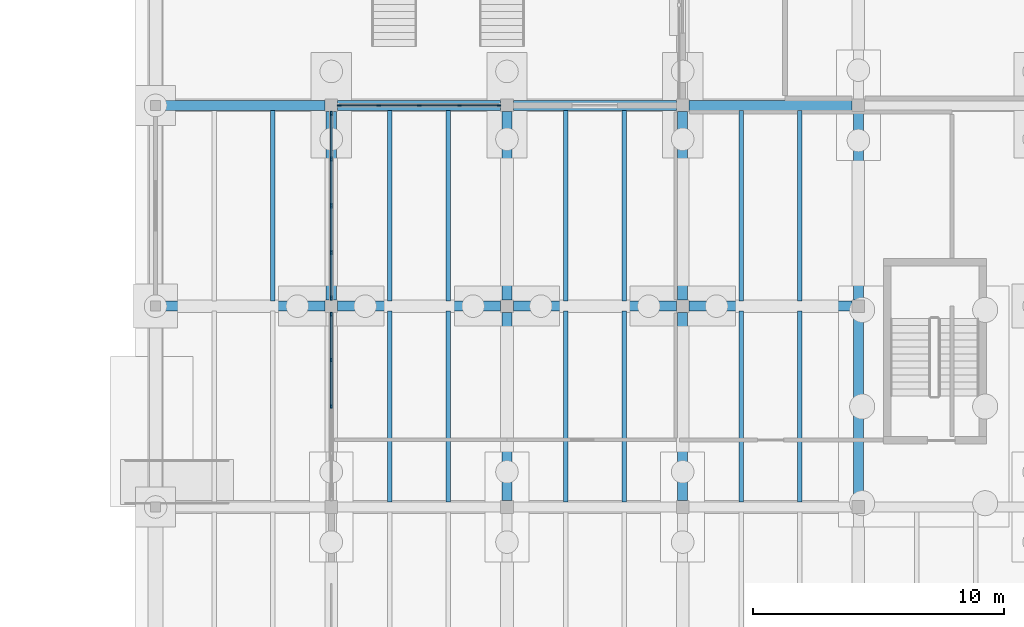
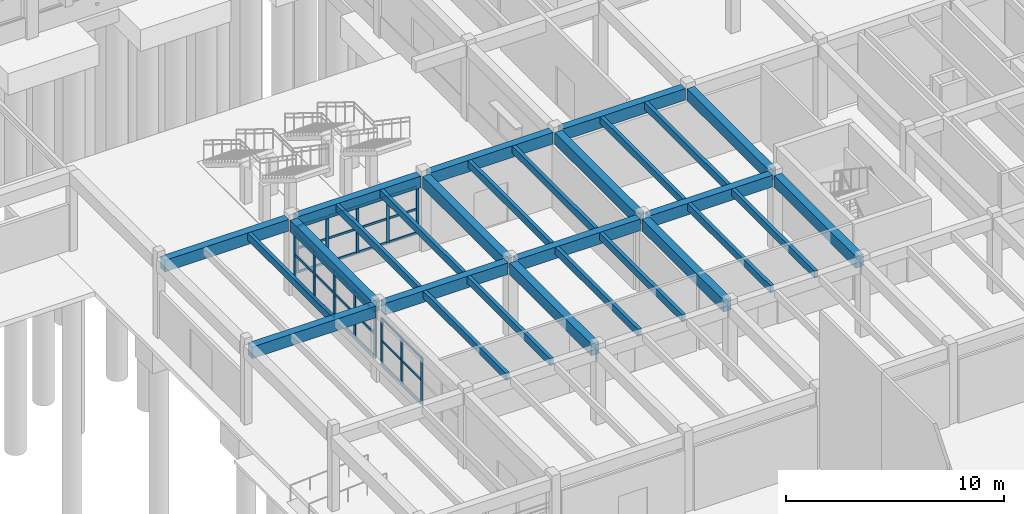
# One storey, part 41 of 99: 43 members, 28 beams, 3 elements without a shape of their own.
"""IFC4 building model written with IfcOpenShell, lengths in metres."""

from ifc_helpers import new_model, si_unit, direction, frame, origin, origin_2d, place, context, subcontext, project, spatial, rectangle, extrude, material, layer, layer_set, material_profile, profile_set, type_object, element, aggregate, save


model = new_model("IFC4")

# Units and contexts
model_context = context("Model", 3, precision=1e-05, world=origin(), true_north=direction((0.0, 1.0)))
body_context = subcontext(model_context, "Body", "Model", "MODEL_VIEW")
ifc_project = project(units=[si_unit("LENGTHUNIT", "METRE"), si_unit("AREAUNIT", "SQUARE_METRE"), si_unit("VOLUMEUNIT", "CUBIC_METRE"), si_unit("PLANEANGLEUNIT", "RADIAN"), si_unit("MASSUNIT", "GRAM", prefix="KILO")], contexts=[model_context])

# Site, building, storey
site_placement = place(None, origin())
site = spatial("IfcSite", under=ifc_project, at=site_placement, CompositionType="ELEMENT")
building_placement = place(site_placement, origin())
building = spatial("IfcBuilding", under=site, at=building_placement, Name="Tonlespit Floodbar School", CompositionType="ELEMENT")
storey_placement = place(building_placement, origin())
storey = spatial("IfcBuildingStorey", under=building, at=storey_placement, Name="L00", CompositionType="ELEMENT", Elevation=0.0)

# Beams
ifc_material_1 = material(Name="Concrete C40/50", Category="concrete")
ifc_material_profile_1 = material_profile(ifc_material_1, rectangle(XDim=0.39990234375, YDim=0.64990234375, at=origin_2d()), Name="RC 400x650")
ifc_profile_set_1 = profile_set([ifc_material_profile_1], Name="Concrete C40/50")
beam_type_1 = type_object("IfcBeamType", Name="Beam_RC_400x650", PredefinedType="BEAM", material=ifc_profile_set_1)
beam_1_placement = place(storey_placement, frame((127.199951171875, 72.0, 3.9150390625), z_axis=(1.0, 0.0, 0.0), x_axis=(0.0, 1.0, 0.0)))
element("IfcBeam", 1, at=beam_1_placement, inside=storey, type_object=beam_type_1, Name="L00 girder 0073", PredefinedType="BEAM", context=body_context, shape_type="SweptSolid", body=[
    extrude(rectangle(XDim=0.39990234375, YDim=0.64990234375, at=origin_2d()), origin(), (0.0, 0.0, 1.0), 6.550048828125),
])
for number, where, z_axis, x_axis, name in (
    (2, (134.25, 72.0, 3.889892578125), (1.0, 0.0, 0.0), (0.0, 1.0, 0.0), "L00 girder 0074"),
    (3, (141.25, 72.0, 3.889892578125), (1.0, 0.0, 0.0), (0.0, 1.0, 0.0), "L00 girder 0075"),
    (4, (148.25, 72.0, 3.889892578125), (1.0, 0.0, 0.0), (0.0, 1.0, 0.0), "L00 girder 0076"),
):
    element("IfcBeam", number, at=place(storey_placement, frame(where, z_axis=z_axis, x_axis=x_axis)), inside=storey, type_object=beam_type_1, Name=name, PredefinedType="BEAM", context=body_context, shape_type="SweptSolid", body=[
        extrude(rectangle(XDim=0.39990234375, YDim=0.64990234375, at=origin_2d()), origin(), (0.0, 0.0, 1.0), 6.5),
    ])
beam_2_placement = place(storey_placement, frame((127.199951171875, 80.0, 3.9150390625), z_axis=(1.0, 0.0, 0.0), x_axis=(0.0, 1.0, 0.0)))
element("IfcBeam", 5, at=beam_2_placement, inside=storey, type_object=beam_type_1, Name="L00 girder 0084", PredefinedType="BEAM", context=body_context, shape_type="SweptSolid", body=[
    extrude(rectangle(XDim=0.39990234375, YDim=0.64990234375, at=origin_2d()), origin(), (0.0, 0.0, 1.0), 6.550048828125),
])
for number, where, z_axis, x_axis, name in (
    (6, (134.25, 80.0, 3.889892578125), (1.0, 0.0, 0.0), (0.0, 1.0, 0.0), "L00 girder 0085"),
    (7, (141.25, 80.0, 3.889892578125), (1.0, 0.0, 0.0), (0.0, 1.0, 0.0), "L00 girder 0086"),
    (8, (148.25, 80.0, 3.889892578125), (1.0, 0.0, 0.0), (0.0, 1.0, 0.0), "L00 girder 0087"),
):
    element("IfcBeam", number, at=place(storey_placement, frame(where, z_axis=z_axis, x_axis=x_axis)), inside=storey, type_object=beam_type_1, Name=name, PredefinedType="BEAM", context=body_context, shape_type="SweptSolid", body=[
        extrude(rectangle(XDim=0.39990234375, YDim=0.64990234375, at=origin_2d()), origin(), (0.0, 0.0, 1.0), 6.5),
    ])
for number, where, z_axis, x_axis, name in (
    (9, (134.0, 72.25, 3.889892578125), (0.0, 1.0, 0.0), (-1.0, 0.0, 0.0), "L00 girder 0274"),
    (10, (141.0, 64.25, 3.889892578125), (0.0, 1.0, 0.0), (-1.0, 0.0, 0.0), "L00 girder 0278"),
    (11, (141.0, 72.25, 3.889892578125), (0.0, 1.0, 0.0), (-1.0, 0.0, 0.0), "L00 girder 0279"),
    (12, (148.0, 64.25, 3.889892578125), (0.0, 1.0, 0.0), (-1.0, 0.0, 0.0), "L00 girder 0283"),
    (13, (148.0, 72.25, 3.889892578125), (0.0, 1.0, 0.0), (-1.0, 0.0, 0.0), "L00 girder 0284"),
    (14, (155.0, 64.25, 3.889892578125), (0.0, 1.0, 0.0), (-1.0, 0.0, 0.0), "L00 girder 0291"),
    (15, (155.0, 72.25, 3.889892578125), (0.0, 1.0, 0.0), (-1.0, 0.0, 0.0), "L00 girder 0292"),
):
    element("IfcBeam", number, at=place(storey_placement, frame(where, z_axis=z_axis, x_axis=x_axis)), inside=storey, type_object=beam_type_1, Name=name, PredefinedType="BEAM", context=body_context, shape_type="SweptSolid", body=[
        extrude(rectangle(XDim=0.39990234375, YDim=0.64990234375, at=origin_2d()), origin(), (0.0, 0.0, 1.0), 7.5),
    ])

# Curtain wall, members
ifc_material_2 = material(Name="Anodised Aluminium", Category="aluminium")
ifc_layer_1 = layer(ifc_material_2, 0.159912109375)
ifc_layer_set_1 = layer_set([ifc_layer_1], Name="Anodised Aluminium")
curtain_wall_type_1 = type_object("IfcCurtainWallType", Name="CurtainWall_7400x2600", PredefinedType="NOTDEFINED", material=ifc_layer_set_1)
curtain_wall_1_placement = place(storey_placement, origin())
curtain_wall_1 = element("IfcCurtainWall", 16, at=curtain_wall_1_placement, inside=storey, type_object=curtain_wall_type_1, Name="L00 unitised curtain wall 0332", PredefinedType="NOTDEFINED")
ifc_material_profile_2 = material_profile(ifc_material_2, rectangle(XDim=0.06494140625, YDim=0.14990234375, at=origin_2d()), Name="ALU M65x150")
ifc_profile_set_2 = profile_set([ifc_material_profile_2], Name="Anodised Aluminium")
member_type_1 = type_object("IfcMemberType", Name="CW_Mullion_65x150", PredefinedType="MULLION", material=ifc_profile_set_2)
member_1_placement = place(storey_placement, frame((134.0, 68.0, 0.949951171875), z_axis=(0.0, 0.0, 1.0), x_axis=(-1.0, 0.0, 0.0)))
member_1 = element("IfcMember", 17, at=member_1_placement, type_object=member_type_1, Name="CW-52 mullion 3", PredefinedType="MULLION", context=body_context, shape_type="SweptSolid", body=[
    extrude(rectangle(XDim=0.06494140625, YDim=0.14990234375, at=origin_2d()), origin(), (0.0, 0.0, 1.0), 2.614990234375),
])
member_2_placement = place(storey_placement, frame((134.0, 69.85498046875, 0.949951171875), z_axis=(0.0, 0.0, 1.0), x_axis=(-1.0, 0.0, 0.0)))
member_2 = element("IfcMember", 18, at=member_2_placement, type_object=member_type_1, Name="CW-52 mullion 4", PredefinedType="MULLION", context=body_context, shape_type="SweptSolid", body=[
    extrude(rectangle(XDim=0.06494140625, YDim=0.14990234375, at=origin_2d()), origin(), (0.0, 0.0, 1.0), 2.614990234375),
])
member_3_placement = place(storey_placement, frame((134.0, 71.677490234375, 0.949951171875), z_axis=(0.0, 0.0, 1.0), x_axis=(-1.0, 0.0, 0.0)))
member_3 = element("IfcMember", 19, at=member_3_placement, type_object=member_type_1, Name="CW-52 mullion 5", PredefinedType="MULLION", context=body_context, shape_type="SweptSolid", body=[
    extrude(rectangle(XDim=0.06494140625, YDim=0.14990234375, at=origin_2d()), origin(), (0.0, 0.0, 1.0), 2.614990234375),
])

ifc_layer_2 = layer(ifc_material_2, 0.159912109375)
ifc_layer_set_2 = layer_set([ifc_layer_2], Name="Anodised Aluminium")
curtain_wall_type_2 = type_object("IfcCurtainWallType", Name="CurtainWall_6400x2600", PredefinedType="NOTDEFINED", material=ifc_layer_set_2)
curtain_wall_2_placement = place(storey_placement, origin())
curtain_wall_2 = element("IfcCurtainWall", 20, at=curtain_wall_2_placement, inside=storey, type_object=curtain_wall_type_2, Name="L00 unitised curtain wall 0334", PredefinedType="NOTDEFINED")
member_4_placement = place(storey_placement, frame((134.322509765625, 80.0, 0.949951171875), z_axis=(0.0, 0.0, 1.0), x_axis=(0.0, 1.0, 0.0)))
member_4 = element("IfcMember", 21, at=member_4_placement, type_object=member_type_1, Name="CW-53 mullion 1", PredefinedType="MULLION", context=body_context, shape_type="SweptSolid", body=[
    extrude(rectangle(XDim=0.06494140625, YDim=0.14990234375, at=origin_2d()), origin(), (0.0, 0.0, 1.0), 2.614990234375),
])
member_5_placement = place(storey_placement, frame((135.89501953125, 80.0, 0.949951171875), z_axis=(0.0, 0.0, 1.0), x_axis=(0.0, 1.0, 0.0)))
member_5 = element("IfcMember", 22, at=member_5_placement, type_object=member_type_1, Name="CW-53 mullion 2", PredefinedType="MULLION", context=body_context, shape_type="SweptSolid", body=[
    extrude(rectangle(XDim=0.06494140625, YDim=0.14990234375, at=origin_2d()), origin(), (0.0, 0.0, 1.0), 2.614990234375),
])
member_6_placement = place(storey_placement, frame((137.5, 80.0, 0.949951171875), z_axis=(0.0, 0.0, 1.0), x_axis=(0.0, 1.0, 0.0)))
member_6 = element("IfcMember", 23, at=member_6_placement, type_object=member_type_1, Name="CW-53 mullion 3", PredefinedType="MULLION", context=body_context, shape_type="SweptSolid", body=[
    extrude(rectangle(XDim=0.06494140625, YDim=0.14990234375, at=origin_2d()), origin(), (0.0, 0.0, 1.0), 2.614990234375),
])
member_7_placement = place(storey_placement, frame((139.10498046875, 80.0, 0.949951171875), z_axis=(0.0, 0.0, 1.0), x_axis=(0.0, 1.0, 0.0)))
member_7 = element("IfcMember", 24, at=member_7_placement, type_object=member_type_1, Name="CW-53 mullion 4", PredefinedType="MULLION", context=body_context, shape_type="SweptSolid", body=[
    extrude(rectangle(XDim=0.06494140625, YDim=0.14990234375, at=origin_2d()), origin(), (0.0, 0.0, 1.0), 2.614990234375),
])
member_8_placement = place(storey_placement, frame((140.677490234375, 80.0, 0.949951171875), z_axis=(0.0, 0.0, 1.0), x_axis=(0.0, 1.0, 0.0)))
member_8 = element("IfcMember", 25, at=member_8_placement, type_object=member_type_1, Name="CW-53 mullion 5", PredefinedType="MULLION", context=body_context, shape_type="SweptSolid", body=[
    extrude(rectangle(XDim=0.06494140625, YDim=0.14990234375, at=origin_2d()), origin(), (0.0, 0.0, 1.0), 2.614990234375),
])

curtain_wall_3_placement = place(storey_placement, origin())
curtain_wall_3 = element("IfcCurtainWall", 26, at=curtain_wall_3_placement, inside=storey, type_object=curtain_wall_type_1, Name="L00 unitised curtain wall 0333", PredefinedType="NOTDEFINED")
ifc_material_profile_3 = material_profile(ifc_material_2, rectangle(XDim=0.06494140625, YDim=0.179931640625, at=origin_2d()), Name="ALU M65x180")
ifc_profile_set_3 = profile_set([ifc_material_profile_3], Name="Anodised Aluminium")
member_type_2 = type_object("IfcMemberType", Name="CW_Mullion_65x180", PredefinedType="MULLION", material=ifc_profile_set_3)
member_9_placement = place(storey_placement, frame((134.0, 72.322509765625, 0.949951171875), z_axis=(0.0, 0.0, 1.0), x_axis=(-1.0, 0.0, 0.0)))
member_9 = element("IfcMember", 27, at=member_9_placement, type_object=member_type_2, Name="CW-52 mullion 1", PredefinedType="MULLION", context=body_context, shape_type="SweptSolid", body=[
    extrude(rectangle(XDim=0.06494140625, YDim=0.179931640625, at=origin_2d()), origin(), (0.0, 0.0, 1.0), 2.614990234375),
])
member_10_placement = place(storey_placement, frame((134.0, 74.14501953125, 0.949951171875), z_axis=(0.0, 0.0, 1.0), x_axis=(-1.0, 0.0, 0.0)))
member_10 = element("IfcMember", 28, at=member_10_placement, type_object=member_type_2, Name="CW-52 mullion 2", PredefinedType="MULLION", context=body_context, shape_type="SweptSolid", body=[
    extrude(rectangle(XDim=0.06494140625, YDim=0.179931640625, at=origin_2d()), origin(), (0.0, 0.0, 1.0), 2.614990234375),
])
member_11_placement = place(storey_placement, frame((134.0, 76.0, 0.949951171875), z_axis=(0.0, 0.0, 1.0), x_axis=(-1.0, 0.0, 0.0)))
member_11 = element("IfcMember", 29, at=member_11_placement, type_object=member_type_2, Name="CW-52 mullion 3", PredefinedType="MULLION", context=body_context, shape_type="SweptSolid", body=[
    extrude(rectangle(XDim=0.06494140625, YDim=0.179931640625, at=origin_2d()), origin(), (0.0, 0.0, 1.0), 2.614990234375),
])
member_12_placement = place(storey_placement, frame((134.0, 77.85498046875, 0.949951171875), z_axis=(0.0, 0.0, 1.0), x_axis=(-1.0, 0.0, 0.0)))
member_12 = element("IfcMember", 30, at=member_12_placement, type_object=member_type_2, Name="CW-52 mullion 4", PredefinedType="MULLION", context=body_context, shape_type="SweptSolid", body=[
    extrude(rectangle(XDim=0.06494140625, YDim=0.179931640625, at=origin_2d()), origin(), (0.0, 0.0, 1.0), 2.614990234375),
])
member_13_placement = place(storey_placement, frame((134.0, 79.677490234375, 0.949951171875), z_axis=(0.0, 0.0, 1.0), x_axis=(-1.0, 0.0, 0.0)))
member_13 = element("IfcMember", 31, at=member_13_placement, type_object=member_type_2, Name="CW-52 mullion 5", PredefinedType="MULLION", context=body_context, shape_type="SweptSolid", body=[
    extrude(rectangle(XDim=0.06494140625, YDim=0.179931640625, at=origin_2d()), origin(), (0.0, 0.0, 1.0), 2.614990234375),
])

# Member
ifc_material_profile_4 = material_profile(ifc_material_2, rectangle(XDim=0.06494140625, YDim=0.1201171875, at=origin_2d()), Name="ALU T65x120")
ifc_profile_set_4 = profile_set([ifc_material_profile_4], Name="Anodised Aluminium")
member_type_3 = type_object("IfcMemberType", Name="CW_Transom_65x120", PredefinedType="USERDEFINED", material=ifc_profile_set_4)
member_14_placement = place(storey_placement, frame((134.0, 68.032470703125, 0.982421875), z_axis=(0.0, 1.0, 0.0), x_axis=(-1.0, 0.0, 0.0)))
member_14 = element("IfcMember", 32, at=member_14_placement, type_object=member_type_3, Name="CW-52 transom 3.1", ObjectType="TRANSOM", PredefinedType="USERDEFINED", context=body_context, shape_type="SweptSolid", body=[
    extrude(rectangle(XDim=0.06494140625, YDim=0.1201171875, at=origin_2d()), origin(), (0.0, 0.0, 1.0), 1.7900390625),
])

member_15_placement = place(storey_placement, frame((134.0, 68.032470703125, 2.309814453125), z_axis=(0.0, 1.0, 0.0), x_axis=(-1.0, 0.0, 0.0)))
member_15 = element("IfcMember", 33, at=member_15_placement, type_object=member_type_3, Name="CW-52 transom 3.2", ObjectType="TRANSOM", PredefinedType="USERDEFINED", context=body_context, shape_type="SweptSolid", body=[
    extrude(rectangle(XDim=0.06494140625, YDim=0.1201171875, at=origin_2d()), origin(), (0.0, 0.0, 1.0), 1.7900390625),
])

member_16_placement = place(storey_placement, frame((134.0, 68.032470703125, 3.532470703125), z_axis=(0.0, 1.0, 0.0), x_axis=(-1.0, 0.0, 0.0)))
member_16 = element("IfcMember", 34, at=member_16_placement, type_object=member_type_3, Name="CW-52 transom 3.3", ObjectType="TRANSOM", PredefinedType="USERDEFINED", context=body_context, shape_type="SweptSolid", body=[
    extrude(rectangle(XDim=0.06494140625, YDim=0.1201171875, at=origin_2d()), origin(), (0.0, 0.0, 1.0), 1.7900390625),
])

member_17_placement = place(storey_placement, frame((134.0, 69.887451171875, 0.982421875), z_axis=(0.0, 1.0, 0.0), x_axis=(-1.0, 0.0, 0.0)))
member_17 = element("IfcMember", 35, at=member_17_placement, type_object=member_type_3, Name="CW-52 transom 4.1", ObjectType="TRANSOM", PredefinedType="USERDEFINED", context=body_context, shape_type="SweptSolid", body=[
    extrude(rectangle(XDim=0.06494140625, YDim=0.1201171875, at=origin_2d()), origin(), (0.0, 0.0, 1.0), 1.757568359375),
])

member_18_placement = place(storey_placement, frame((134.0, 69.887451171875, 2.309814453125), z_axis=(0.0, 1.0, 0.0), x_axis=(-1.0, 0.0, 0.0)))
member_18 = element("IfcMember", 36, at=member_18_placement, type_object=member_type_3, Name="CW-52 transom 4.2", ObjectType="TRANSOM", PredefinedType="USERDEFINED", context=body_context, shape_type="SweptSolid", body=[
    extrude(rectangle(XDim=0.06494140625, YDim=0.1201171875, at=origin_2d()), origin(), (0.0, 0.0, 1.0), 1.757568359375),
])

member_19_placement = place(storey_placement, frame((134.0, 69.887451171875, 3.532470703125), z_axis=(0.0, 1.0, 0.0), x_axis=(-1.0, 0.0, 0.0)))
member_19 = element("IfcMember", 37, at=member_19_placement, type_object=member_type_3, Name="CW-52 transom 4.3", ObjectType="TRANSOM", PredefinedType="USERDEFINED", context=body_context, shape_type="SweptSolid", body=[
    extrude(rectangle(XDim=0.06494140625, YDim=0.1201171875, at=origin_2d()), origin(), (0.0, 0.0, 1.0), 1.757568359375),
])

aggregate(curtain_wall_1, [member_1, member_2, member_3, member_14, member_15, member_16, member_17, member_18, member_19])

member_20_placement = place(storey_placement, frame((134.35498046875, 80.0, 0.982421875), z_axis=(1.0, 0.0, 0.0), x_axis=(0.0, 1.0, 0.0)))
member_20 = element("IfcMember", 38, at=member_20_placement, type_object=member_type_3, Name="CW-53 transom 1.1", ObjectType="TRANSOM", PredefinedType="USERDEFINED", context=body_context, shape_type="SweptSolid", body=[
    extrude(rectangle(XDim=0.06494140625, YDim=0.1201171875, at=origin_2d()), origin(), (0.0, 0.0, 1.0), 1.507568359375),
])

member_21_placement = place(storey_placement, frame((134.35498046875, 80.0, 2.309814453125), z_axis=(1.0, 0.0, 0.0), x_axis=(0.0, 1.0, 0.0)))
member_21 = element("IfcMember", 39, at=member_21_placement, type_object=member_type_3, Name="CW-53 transom 1.2", ObjectType="TRANSOM", PredefinedType="USERDEFINED", context=body_context, shape_type="SweptSolid", body=[
    extrude(rectangle(XDim=0.06494140625, YDim=0.1201171875, at=origin_2d()), origin(), (0.0, 0.0, 1.0), 1.507568359375),
])

member_22_placement = place(storey_placement, frame((134.35498046875, 80.0, 3.532470703125), z_axis=(1.0, 0.0, 0.0), x_axis=(0.0, 1.0, 0.0)))
member_22 = element("IfcMember", 40, at=member_22_placement, type_object=member_type_3, Name="CW-53 transom 1.3", ObjectType="TRANSOM", PredefinedType="USERDEFINED", context=body_context, shape_type="SweptSolid", body=[
    extrude(rectangle(XDim=0.06494140625, YDim=0.1201171875, at=origin_2d()), origin(), (0.0, 0.0, 1.0), 1.507568359375),
])

member_23_placement = place(storey_placement, frame((135.927490234375, 80.0, 0.982421875), z_axis=(1.0, 0.0, 0.0), x_axis=(0.0, 1.0, 0.0)))
member_23 = element("IfcMember", 41, at=member_23_placement, type_object=member_type_3, Name="CW-53 transom 2.1", ObjectType="TRANSOM", PredefinedType="USERDEFINED", context=body_context, shape_type="SweptSolid", body=[
    extrude(rectangle(XDim=0.06494140625, YDim=0.1201171875, at=origin_2d()), origin(), (0.0, 0.0, 1.0), 1.5400390625),
])

member_24_placement = place(storey_placement, frame((135.927490234375, 80.0, 2.309814453125), z_axis=(1.0, 0.0, 0.0), x_axis=(0.0, 1.0, 0.0)))
member_24 = element("IfcMember", 42, at=member_24_placement, type_object=member_type_3, Name="CW-53 transom 2.2", ObjectType="TRANSOM", PredefinedType="USERDEFINED", context=body_context, shape_type="SweptSolid", body=[
    extrude(rectangle(XDim=0.06494140625, YDim=0.1201171875, at=origin_2d()), origin(), (0.0, 0.0, 1.0), 1.5400390625),
])

member_25_placement = place(storey_placement, frame((135.927490234375, 80.0, 3.532470703125), z_axis=(1.0, 0.0, 0.0), x_axis=(0.0, 1.0, 0.0)))
member_25 = element("IfcMember", 43, at=member_25_placement, type_object=member_type_3, Name="CW-53 transom 2.3", ObjectType="TRANSOM", PredefinedType="USERDEFINED", context=body_context, shape_type="SweptSolid", body=[
    extrude(rectangle(XDim=0.06494140625, YDim=0.1201171875, at=origin_2d()), origin(), (0.0, 0.0, 1.0), 1.5400390625),
])

member_26_placement = place(storey_placement, frame((137.532470703125, 80.0, 0.982421875), z_axis=(1.0, 0.0, 0.0), x_axis=(0.0, 1.0, 0.0)))
member_26 = element("IfcMember", 44, at=member_26_placement, type_object=member_type_3, Name="CW-53 transom 3.1", ObjectType="TRANSOM", PredefinedType="USERDEFINED", context=body_context, shape_type="SweptSolid", body=[
    extrude(rectangle(XDim=0.06494140625, YDim=0.1201171875, at=origin_2d()), origin(), (0.0, 0.0, 1.0), 1.5400390625),
])

member_27_placement = place(storey_placement, frame((137.532470703125, 80.0, 2.309814453125), z_axis=(1.0, 0.0, 0.0), x_axis=(0.0, 1.0, 0.0)))
member_27 = element("IfcMember", 45, at=member_27_placement, type_object=member_type_3, Name="CW-53 transom 3.2", ObjectType="TRANSOM", PredefinedType="USERDEFINED", context=body_context, shape_type="SweptSolid", body=[
    extrude(rectangle(XDim=0.06494140625, YDim=0.1201171875, at=origin_2d()), origin(), (0.0, 0.0, 1.0), 1.5400390625),
])

member_28_placement = place(storey_placement, frame((137.532470703125, 80.0, 3.532470703125), z_axis=(1.0, 0.0, 0.0), x_axis=(0.0, 1.0, 0.0)))
member_28 = element("IfcMember", 46, at=member_28_placement, type_object=member_type_3, Name="CW-53 transom 3.3", ObjectType="TRANSOM", PredefinedType="USERDEFINED", context=body_context, shape_type="SweptSolid", body=[
    extrude(rectangle(XDim=0.06494140625, YDim=0.1201171875, at=origin_2d()), origin(), (0.0, 0.0, 1.0), 1.5400390625),
])

member_29_placement = place(storey_placement, frame((139.137451171875, 80.0, 0.982421875), z_axis=(1.0, 0.0, 0.0), x_axis=(0.0, 1.0, 0.0)))
member_29 = element("IfcMember", 47, at=member_29_placement, type_object=member_type_3, Name="CW-53 transom 4.1", ObjectType="TRANSOM", PredefinedType="USERDEFINED", context=body_context, shape_type="SweptSolid", body=[
    extrude(rectangle(XDim=0.06494140625, YDim=0.1201171875, at=origin_2d()), origin(), (0.0, 0.0, 1.0), 1.507568359375),
])

member_30_placement = place(storey_placement, frame((139.137451171875, 80.0, 2.309814453125), z_axis=(1.0, 0.0, 0.0), x_axis=(0.0, 1.0, 0.0)))
member_30 = element("IfcMember", 48, at=member_30_placement, type_object=member_type_3, Name="CW-53 transom 4.2", ObjectType="TRANSOM", PredefinedType="USERDEFINED", context=body_context, shape_type="SweptSolid", body=[
    extrude(rectangle(XDim=0.06494140625, YDim=0.1201171875, at=origin_2d()), origin(), (0.0, 0.0, 1.0), 1.507568359375),
])

member_31_placement = place(storey_placement, frame((139.137451171875, 80.0, 3.532470703125), z_axis=(1.0, 0.0, 0.0), x_axis=(0.0, 1.0, 0.0)))
member_31 = element("IfcMember", 49, at=member_31_placement, type_object=member_type_3, Name="CW-53 transom 4.3", ObjectType="TRANSOM", PredefinedType="USERDEFINED", context=body_context, shape_type="SweptSolid", body=[
    extrude(rectangle(XDim=0.06494140625, YDim=0.1201171875, at=origin_2d()), origin(), (0.0, 0.0, 1.0), 1.507568359375),
])

aggregate(curtain_wall_2, [member_4, member_5, member_6, member_7, member_8, member_20, member_21, member_22, member_23, member_24, member_25, member_26, member_27, member_28, member_29, member_30, member_31])

ifc_material_profile_5 = material_profile(ifc_material_2, rectangle(XDim=0.06494140625, YDim=0.139892578125, at=origin_2d()), Name="ALU T65x140")
ifc_profile_set_5 = profile_set([ifc_material_profile_5], Name="Anodised Aluminium")
member_type_4 = type_object("IfcMemberType", Name="CW_Transom_65x140", PredefinedType="USERDEFINED", material=ifc_profile_set_5)
member_32_placement = place(storey_placement, frame((134.0, 72.35498046875, 0.982421875), z_axis=(0.0, 1.0, 0.0), x_axis=(-1.0, 0.0, 0.0)))
member_32 = element("IfcMember", 50, at=member_32_placement, type_object=member_type_4, Name="CW-52 transom 1.1", ObjectType="TRANSOM", PredefinedType="USERDEFINED", context=body_context, shape_type="SweptSolid", body=[
    extrude(rectangle(XDim=0.06494140625, YDim=0.139892578125, at=origin_2d()), origin(), (0.0, 0.0, 1.0), 1.757568359375),
])

member_33_placement = place(storey_placement, frame((134.0, 72.35498046875, 2.309814453125), z_axis=(0.0, 1.0, 0.0), x_axis=(-1.0, 0.0, 0.0)))
member_33 = element("IfcMember", 51, at=member_33_placement, type_object=member_type_4, Name="CW-52 transom 1.2", ObjectType="TRANSOM", PredefinedType="USERDEFINED", context=body_context, shape_type="SweptSolid", body=[
    extrude(rectangle(XDim=0.06494140625, YDim=0.139892578125, at=origin_2d()), origin(), (0.0, 0.0, 1.0), 1.757568359375),
])

member_34_placement = place(storey_placement, frame((134.0, 72.35498046875, 3.532470703125), z_axis=(0.0, 1.0, 0.0), x_axis=(-1.0, 0.0, 0.0)))
member_34 = element("IfcMember", 52, at=member_34_placement, type_object=member_type_4, Name="CW-52 transom 1.3", ObjectType="TRANSOM", PredefinedType="USERDEFINED", context=body_context, shape_type="SweptSolid", body=[
    extrude(rectangle(XDim=0.06494140625, YDim=0.139892578125, at=origin_2d()), origin(), (0.0, 0.0, 1.0), 1.757568359375),
])

member_35_placement = place(storey_placement, frame((134.0, 74.177490234375, 0.982421875), z_axis=(0.0, 1.0, 0.0), x_axis=(-1.0, 0.0, 0.0)))
member_35 = element("IfcMember", 53, at=member_35_placement, type_object=member_type_4, Name="CW-52 transom 2.1", ObjectType="TRANSOM", PredefinedType="USERDEFINED", context=body_context, shape_type="SweptSolid", body=[
    extrude(rectangle(XDim=0.06494140625, YDim=0.139892578125, at=origin_2d()), origin(), (0.0, 0.0, 1.0), 1.7900390625),
])

member_36_placement = place(storey_placement, frame((134.0, 74.177490234375, 2.309814453125), z_axis=(0.0, 1.0, 0.0), x_axis=(-1.0, 0.0, 0.0)))
member_36 = element("IfcMember", 54, at=member_36_placement, type_object=member_type_4, Name="CW-52 transom 2.2", ObjectType="TRANSOM", PredefinedType="USERDEFINED", context=body_context, shape_type="SweptSolid", body=[
    extrude(rectangle(XDim=0.06494140625, YDim=0.139892578125, at=origin_2d()), origin(), (0.0, 0.0, 1.0), 1.7900390625),
])

member_37_placement = place(storey_placement, frame((134.0, 74.177490234375, 3.532470703125), z_axis=(0.0, 1.0, 0.0), x_axis=(-1.0, 0.0, 0.0)))
member_37 = element("IfcMember", 55, at=member_37_placement, type_object=member_type_4, Name="CW-52 transom 2.3", ObjectType="TRANSOM", PredefinedType="USERDEFINED", context=body_context, shape_type="SweptSolid", body=[
    extrude(rectangle(XDim=0.06494140625, YDim=0.139892578125, at=origin_2d()), origin(), (0.0, 0.0, 1.0), 1.7900390625),
])

member_38_placement = place(storey_placement, frame((134.0, 76.032470703125, 0.982421875), z_axis=(0.0, 1.0, 0.0), x_axis=(-1.0, 0.0, 0.0)))
member_38 = element("IfcMember", 56, at=member_38_placement, type_object=member_type_4, Name="CW-52 transom 3.1", ObjectType="TRANSOM", PredefinedType="USERDEFINED", context=body_context, shape_type="SweptSolid", body=[
    extrude(rectangle(XDim=0.06494140625, YDim=0.139892578125, at=origin_2d()), origin(), (0.0, 0.0, 1.0), 1.7900390625),
])

member_39_placement = place(storey_placement, frame((134.0, 76.032470703125, 2.309814453125), z_axis=(0.0, 1.0, 0.0), x_axis=(-1.0, 0.0, 0.0)))
member_39 = element("IfcMember", 57, at=member_39_placement, type_object=member_type_4, Name="CW-52 transom 3.2", ObjectType="TRANSOM", PredefinedType="USERDEFINED", context=body_context, shape_type="SweptSolid", body=[
    extrude(rectangle(XDim=0.06494140625, YDim=0.139892578125, at=origin_2d()), origin(), (0.0, 0.0, 1.0), 1.7900390625),
])

member_40_placement = place(storey_placement, frame((134.0, 76.032470703125, 3.532470703125), z_axis=(0.0, 1.0, 0.0), x_axis=(-1.0, 0.0, 0.0)))
member_40 = element("IfcMember", 58, at=member_40_placement, type_object=member_type_4, Name="CW-52 transom 3.3", ObjectType="TRANSOM", PredefinedType="USERDEFINED", context=body_context, shape_type="SweptSolid", body=[
    extrude(rectangle(XDim=0.06494140625, YDim=0.139892578125, at=origin_2d()), origin(), (0.0, 0.0, 1.0), 1.7900390625),
])

member_41_placement = place(storey_placement, frame((134.0, 77.887451171875, 0.982421875), z_axis=(0.0, 1.0, 0.0), x_axis=(-1.0, 0.0, 0.0)))
member_41 = element("IfcMember", 59, at=member_41_placement, type_object=member_type_4, Name="CW-52 transom 4.1", ObjectType="TRANSOM", PredefinedType="USERDEFINED", context=body_context, shape_type="SweptSolid", body=[
    extrude(rectangle(XDim=0.06494140625, YDim=0.139892578125, at=origin_2d()), origin(), (0.0, 0.0, 1.0), 1.757568359375),
])

member_42_placement = place(storey_placement, frame((134.0, 77.887451171875, 2.309814453125), z_axis=(0.0, 1.0, 0.0), x_axis=(-1.0, 0.0, 0.0)))
member_42 = element("IfcMember", 60, at=member_42_placement, type_object=member_type_4, Name="CW-52 transom 4.2", ObjectType="TRANSOM", PredefinedType="USERDEFINED", context=body_context, shape_type="SweptSolid", body=[
    extrude(rectangle(XDim=0.06494140625, YDim=0.139892578125, at=origin_2d()), origin(), (0.0, 0.0, 1.0), 1.757568359375),
])

member_43_placement = place(storey_placement, frame((134.0, 77.887451171875, 3.532470703125), z_axis=(0.0, 1.0, 0.0), x_axis=(-1.0, 0.0, 0.0)))
member_43 = element("IfcMember", 61, at=member_43_placement, type_object=member_type_4, Name="CW-52 transom 4.3", ObjectType="TRANSOM", PredefinedType="USERDEFINED", context=body_context, shape_type="SweptSolid", body=[
    extrude(rectangle(XDim=0.06494140625, YDim=0.139892578125, at=origin_2d()), origin(), (0.0, 0.0, 1.0), 1.757568359375),
])

aggregate(curtain_wall_3, [member_9, member_10, member_11, member_12, member_13, member_32, member_33, member_34, member_35, member_36, member_37, member_38, member_39, member_40, member_41, member_42, member_43])

# Beams
ifc_material_3 = material(Name="Glulam GL28h", Category="wood")
ifc_material_profile_6 = material_profile(ifc_material_3, rectangle(XDim=0.179931640625, YDim=0.39990234375, at=origin_2d()), Name="GL 180x400")
ifc_profile_set_6 = profile_set([ifc_material_profile_6], Name="Glulam GL28h")
beam_type_2 = type_object("IfcBeamType", Name="Joist_GL_180x400", PredefinedType="JOIST", material=ifc_profile_set_6)
for number, where, z_axis, x_axis, name in (
    (62, (136.333251953125, 64.199951171875, 4.014892578125), (0.0, 1.0, 0.0), (-1.0, 0.0, 0.0), "L00 secondary joist 0426"),
    (63, (138.666748046875, 64.199951171875, 4.014892578125), (0.0, 1.0, 0.0), (-1.0, 0.0, 0.0), "L00 secondary joist 0427"),
    (64, (143.333251953125, 64.199951171875, 4.014892578125), (0.0, 1.0, 0.0), (-1.0, 0.0, 0.0), "L00 secondary joist 0428"),
    (65, (145.666748046875, 64.199951171875, 4.014892578125), (0.0, 1.0, 0.0), (-1.0, 0.0, 0.0), "L00 secondary joist 0429"),
    (66, (150.333251953125, 64.199951171875, 4.014892578125), (0.0, 1.0, 0.0), (-1.0, 0.0, 0.0), "L00 secondary joist 0430"),
    (67, (152.666748046875, 64.199951171875, 4.014892578125), (0.0, 1.0, 0.0), (-1.0, 0.0, 0.0), "L00 secondary joist 0431"),
    (68, (131.666748046875, 72.199951171875, 4.0400390625), (0.0, 1.0, 0.0), (-1.0, 0.0, 0.0), "L00 secondary joist 0445"),
    (69, (136.333251953125, 72.199951171875, 4.014892578125), (0.0, 1.0, 0.0), (-1.0, 0.0, 0.0), "L00 secondary joist 0446"),
    (70, (138.666748046875, 72.199951171875, 4.014892578125), (0.0, 1.0, 0.0), (-1.0, 0.0, 0.0), "L00 secondary joist 0447"),
    (71, (143.333251953125, 72.199951171875, 4.014892578125), (0.0, 1.0, 0.0), (-1.0, 0.0, 0.0), "L00 secondary joist 0448"),
    (72, (145.666748046875, 72.199951171875, 4.014892578125), (0.0, 1.0, 0.0), (-1.0, 0.0, 0.0), "L00 secondary joist 0449"),
    (73, (150.333251953125, 72.199951171875, 4.014892578125), (0.0, 1.0, 0.0), (-1.0, 0.0, 0.0), "L00 secondary joist 0450"),
    (74, (152.666748046875, 72.199951171875, 4.014892578125), (0.0, 1.0, 0.0), (-1.0, 0.0, 0.0), "L00 secondary joist 0451"),
):
    element("IfcBeam", number, at=place(storey_placement, frame(where, z_axis=z_axis, x_axis=x_axis)), inside=storey, type_object=beam_type_2, Name=name, PredefinedType="JOIST", context=body_context, shape_type="SweptSolid", body=[
        extrude(rectangle(XDim=0.179931640625, YDim=0.39990234375, at=origin_2d()), origin(), (0.0, 0.0, 1.0), 7.60009765625),
    ])

save(model, "model.ifc")
